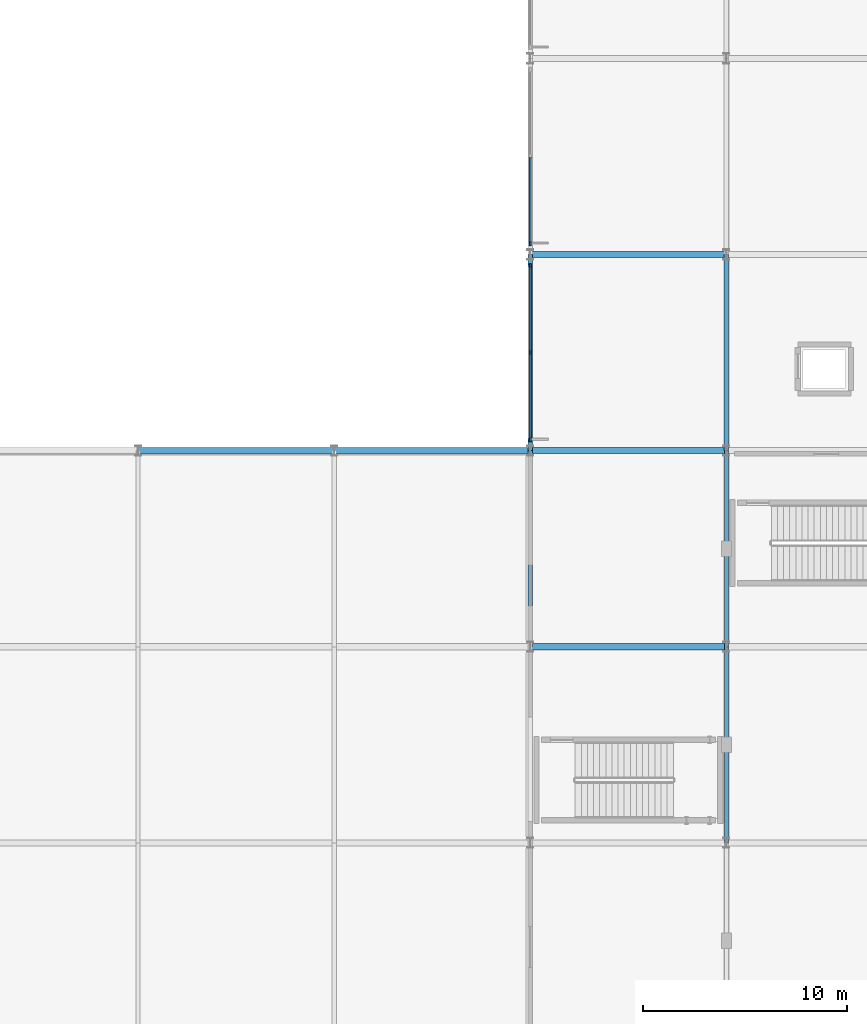
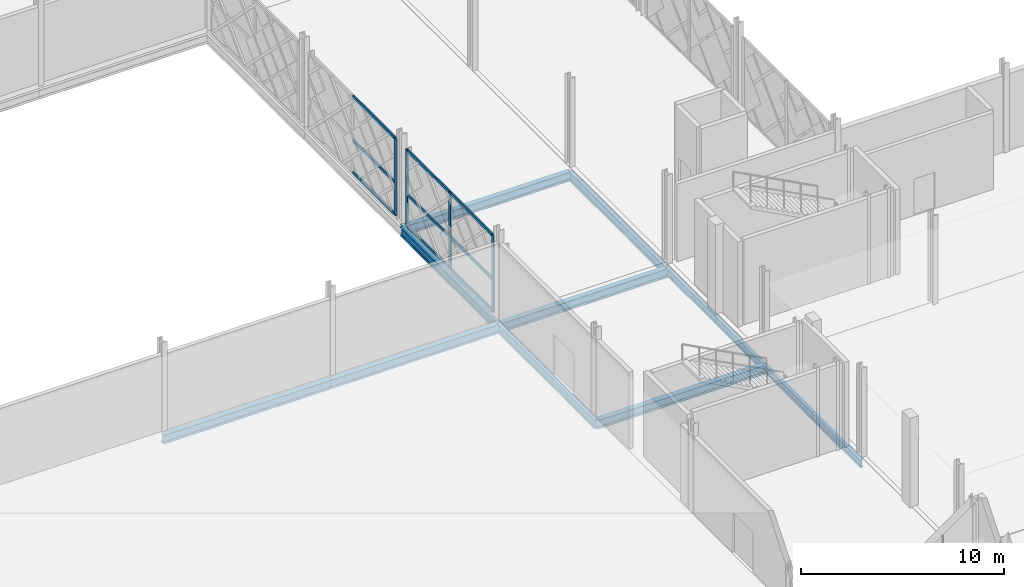
# One storey, part 29 of 84: 13 members, 12 beams, 2 elements without a shape of their own.
"""IFC4 building model written with IfcOpenShell, lengths in metres."""

from ifc_helpers import new_model, si_unit, direction, frame, origin, origin_2d, place, context, subcontext, project, spatial, rectangle, i_section, extrude, material, layer, layer_set, material_profile, profile_set, type_object, element, aggregate, save


model = new_model("IFC4")

# Units and contexts
model_context = context("Model", 3, precision=1e-05, world=origin(), true_north=direction((0.0, 1.0)))
body_context = subcontext(model_context, "Body", "Model", "MODEL_VIEW")
ifc_project = project(units=[si_unit("LENGTHUNIT", "METRE"), si_unit("AREAUNIT", "SQUARE_METRE"), si_unit("VOLUMEUNIT", "CUBIC_METRE"), si_unit("PLANEANGLEUNIT", "RADIAN"), si_unit("MASSUNIT", "GRAM", prefix="KILO")], contexts=[model_context])

# Site, building, storey
site_placement = place(None, origin())
site = spatial("IfcSite", under=ifc_project, at=site_placement, CompositionType="ELEMENT")
building_placement = place(site_placement, origin())
building = spatial("IfcBuilding", under=site, at=building_placement, Name="Zevrakil Square Congress Hotel", CompositionType="ELEMENT")
storey_placement = place(building_placement, origin())
storey = spatial("IfcBuildingStorey", under=building, at=storey_placement, Name="L01", CompositionType="ELEMENT", Elevation=0.0)

# Beams
ifc_material_1 = material(Name="Steel S355", Category="steel")
ifc_material_profile_1 = material_profile(ifc_material_1, i_section(OverallWidth=0.300048828125, OverallDepth=0.5400390625, WebThickness=0.012451171875, FlangeThickness=0.02392578125, FilletRadius=0.027099609375, at=origin_2d()), Name="HEA 550")
ifc_profile_set_1 = profile_set([ifc_material_profile_1], Name="Steel S355")
beam_type_1 = type_object("IfcBeamType", Name="BM-HEA550", PredefinedType="BEAM", material=ifc_profile_set_1)
beam_1_placement = place(storey_placement, frame((45.60009765625, 36.0, -0.590087890625), z_axis=(1.0, 0.0, 0.0), x_axis=(0.0, 1.0, 0.0)))
element("IfcBeam", 1, at=beam_1_placement, inside=storey, type_object=beam_type_1, Name="L01 primary girder BX-0336", PredefinedType="BEAM", context=body_context, shape_type="SweptSolid", body=[
    extrude(i_section(OverallWidth=0.300048828125, OverallDepth=0.5400390625, WebThickness=0.012451171875, FlangeThickness=0.02392578125, FilletRadius=0.027099609375, at=origin_2d()), origin(), (0.0, 0.0, 1.0), 9.599853515625),
])
for number, where, z_axis, x_axis, name in (
    (2, (26.39990234375, 45.60009765625, -0.590087890625), (1.0, 0.0, 0.0), (0.0, 1.0, 0.0), "L01 primary girder BX-0351"),
    (3, (36.0, 45.60009765625, -0.590087890625), (1.0, 0.0, 0.0), (0.0, 1.0, 0.0), "L01 primary girder BX-0352"),
):
    element("IfcBeam", number, at=place(storey_placement, frame(where, z_axis=z_axis, x_axis=x_axis)), inside=storey, type_object=beam_type_1, Name=name, PredefinedType="BEAM", context=body_context, shape_type="SweptSolid", body=[
        extrude(i_section(OverallWidth=0.300048828125, OverallDepth=0.5400390625, WebThickness=0.012451171875, FlangeThickness=0.02392578125, FilletRadius=0.027099609375, at=origin_2d()), origin(), (0.0, 0.0, 1.0), 9.60009765625),
    ])
for number, where, z_axis, x_axis, name in (
    (4, (45.60009765625, 45.60009765625, -0.590087890625), (1.0, 0.0, 0.0), (0.0, 1.0, 0.0), "L01 primary girder BX-0353"),
    (5, (45.60009765625, 55.199951171875, -0.590087890625), (1.0, 0.0, 0.0), (0.0, 1.0, 0.0), "L01 primary girder BX-0367"),
):
    element("IfcBeam", number, at=place(storey_placement, frame(where, z_axis=z_axis, x_axis=x_axis)), inside=storey, type_object=beam_type_1, Name=name, PredefinedType="BEAM", context=body_context, shape_type="SweptSolid", body=[
        extrude(i_section(OverallWidth=0.300048828125, OverallDepth=0.5400390625, WebThickness=0.012451171875, FlangeThickness=0.02392578125, FilletRadius=0.027099609375, at=origin_2d()), origin(), (0.0, 0.0, 1.0), 9.599853515625),
    ])
ifc_material_2 = material(Name="Steel S355", Category="steel")
ifc_material_profile_2 = material_profile(ifc_material_2, i_section(OverallWidth=0.18994140625, OverallDepth=0.449951171875, WebThickness=0.009521484375, FlangeThickness=0.0146484375, FilletRadius=0.02099609375, at=origin_2d()), Name="IPE 450")
ifc_profile_set_2 = profile_set([ifc_material_profile_2], Name="Steel S355")
beam_type_2 = type_object("IfcBeamType", Name="BM-IPE450", PredefinedType="BEAM", material=ifc_profile_set_2)
for number, where, z_axis, x_axis, name in (
    (6, (55.199951171875, 26.39990234375, -0.544921875), (0.0, 1.0, 0.0), (-1.0, 0.0, 0.0), "L01 primary girder BY-0523"),
    (7, (55.199951171875, 31.199951171875, -0.544921875), (0.0, 1.0, 0.0), (-1.0, 0.0, 0.0), "L01 primary girder BY-0524"),
    (8, (55.199951171875, 36.0, -0.544921875), (0.0, 1.0, 0.0), (-1.0, 0.0, 0.0), "L01 primary girder BY-0525"),
    (9, (55.199951171875, 40.800048828125, -0.544921875), (0.0, 1.0, 0.0), (-1.0, 0.0, 0.0), "L01 primary girder BY-0526"),
):
    element("IfcBeam", number, at=place(storey_placement, frame(where, z_axis=z_axis, x_axis=x_axis)), inside=storey, type_object=beam_type_2, Name=name, PredefinedType="BEAM", context=body_context, shape_type="SweptSolid", body=[
        extrude(i_section(OverallWidth=0.18994140625, OverallDepth=0.449951171875, WebThickness=0.009521484375, FlangeThickness=0.0146484375, FilletRadius=0.02099609375, at=origin_2d()), origin(), (0.0, 0.0, 1.0), 4.800048828125),
    ])
ifc_material_3 = material(Name="Steel S355", Category="steel")
ifc_material_profile_3 = material_profile(ifc_material_3, i_section(OverallWidth=0.2099609375, OverallDepth=0.550048828125, WebThickness=0.010986328125, FlangeThickness=0.01708984375, FilletRadius=0.02392578125, at=origin_2d()), Name="IPE 550")
ifc_profile_set_3 = profile_set([ifc_material_profile_3], Name="Steel S355")
beam_type_3 = type_object("IfcBeamType", Name="BM-IPE550", PredefinedType="BEAM", material=ifc_profile_set_3)
beam_2_placement = place(storey_placement, frame((45.60009765625, 36.0, -0.594970703125), z_axis=(0.0, 1.0, 0.0), x_axis=(-1.0, 0.0, 0.0)))
element("IfcBeam", 10, at=beam_2_placement, inside=storey, type_object=beam_type_3, Name="L01 primary girder BY-0509", PredefinedType="BEAM", context=body_context, shape_type="SweptSolid", body=[
    extrude(i_section(OverallWidth=0.2099609375, OverallDepth=0.550048828125, WebThickness=0.010986328125, FlangeThickness=0.01708984375, FilletRadius=0.02392578125, at=origin_2d()), origin(), (0.0, 0.0, 1.0), 9.60009765625),
])
for number, where, z_axis, x_axis, name in (
    (11, (45.60009765625, 45.60009765625, -0.594970703125), (0.0, 1.0, 0.0), (-1.0, 0.0, 0.0), "L01 primary girder BY-0510"),
    (12, (55.199951171875, 45.60009765625, -0.594970703125), (0.0, 1.0, 0.0), (-1.0, 0.0, 0.0), "L01 primary girder BY-0527"),
):
    element("IfcBeam", number, at=place(storey_placement, frame(where, z_axis=z_axis, x_axis=x_axis)), inside=storey, type_object=beam_type_3, Name=name, PredefinedType="BEAM", context=body_context, shape_type="SweptSolid", body=[
        extrude(i_section(OverallWidth=0.2099609375, OverallDepth=0.550048828125, WebThickness=0.010986328125, FlangeThickness=0.01708984375, FilletRadius=0.02392578125, at=origin_2d()), origin(), (0.0, 0.0, 1.0), 9.599853515625),
    ])

# Curtain wall, members
ifc_material_4 = material(Name="Aluminium Anodised Bronze", Category="aluminium")
ifc_layer = layer(ifc_material_4, 0.179931640625)
ifc_layer_set = layer_set([ifc_layer], Name="Aluminium Anodised Bronze")
curtain_wall_type = type_object("IfcCurtainWallType", Name="CW-L01-840", PredefinedType="USERDEFINED", material=ifc_layer_set)
curtain_wall_1_placement = place(storey_placement, origin())
curtain_wall_1 = element("IfcCurtainWall", 13, at=curtain_wall_1_placement, inside=storey, type_object=curtain_wall_type, Name="L01 diamond curtain wall CW-L01-0022", ObjectType="GLAZED CURTAIN WALL", PredefinedType="USERDEFINED")
ifc_material_5 = material(Name="Aluminium Anodised Bronze", Category="aluminium")
ifc_material_profile_4 = material_profile(ifc_material_5, rectangle(XDim=0.0849609375, YDim=0.179931640625, at=origin_2d()), Name="ALU 85x180")
ifc_profile_set_4 = profile_set([ifc_material_profile_4], Name="Aluminium Anodised Bronze")
member_type_1 = type_object("IfcMemberType", Name="CWM-ALU85x180", PredefinedType="USERDEFINED", material=ifc_profile_set_4)
member_1_placement = place(storey_placement, frame((45.60009765625, 46.179931640625, 0.030029296875), z_axis=(0.0, 1.0, 0.0), x_axis=(-1.0, 0.0, 0.0)))
member_1 = element("IfcMember", 14, at=member_1_placement, type_object=member_type_1, Name="CW-11 transom 1.1", ObjectType="TRANSOM", PredefinedType="USERDEFINED", context=body_context, shape_type="SweptSolid", body=[
    extrude(rectangle(XDim=0.0849609375, YDim=0.179931640625, at=origin_2d()), origin(), (0.0, 0.0, 1.0), 4.190185546875),
])
member_2_placement = place(storey_placement, frame((45.60009765625, 46.179931640625, 1.9423828125), z_axis=(0.0, 1.0, 0.0), x_axis=(-1.0, 0.0, 0.0)))
member_2 = element("IfcMember", 15, at=member_2_placement, type_object=member_type_1, Name="CW-11 transom 1.2", ObjectType="TRANSOM", PredefinedType="USERDEFINED", context=body_context, shape_type="SweptSolid", body=[
    extrude(rectangle(XDim=0.0849609375, YDim=0.179931640625, at=origin_2d()), origin(), (0.0, 0.0, 1.0), 4.190185546875),
])
member_3_placement = place(storey_placement, frame((45.60009765625, 46.179931640625, 4.594970703125), z_axis=(0.0, 1.0, 0.0), x_axis=(-1.0, 0.0, 0.0)))
member_3 = element("IfcMember", 16, at=member_3_placement, type_object=member_type_1, Name="CW-11 transom 1.3", ObjectType="TRANSOM", PredefinedType="USERDEFINED", context=body_context, shape_type="SweptSolid", body=[
    extrude(rectangle(XDim=0.0849609375, YDim=0.179931640625, at=origin_2d()), origin(), (0.0, 0.0, 1.0), 4.190185546875),
])
member_4_placement = place(storey_placement, frame((45.60009765625, 50.429931640625, 0.030029296875), z_axis=(0.0, 1.0, 0.0), x_axis=(-1.0, 0.0, 0.0)))
member_4 = element("IfcMember", 17, at=member_4_placement, type_object=member_type_1, Name="CW-11 transom 2.1", ObjectType="TRANSOM", PredefinedType="USERDEFINED", context=body_context, shape_type="SweptSolid", body=[
    extrude(rectangle(XDim=0.0849609375, YDim=0.179931640625, at=origin_2d()), origin(), (0.0, 0.0, 1.0), 4.190185546875),
])
member_5_placement = place(storey_placement, frame((45.60009765625, 50.429931640625, 1.9423828125), z_axis=(0.0, 1.0, 0.0), x_axis=(-1.0, 0.0, 0.0)))
member_5 = element("IfcMember", 18, at=member_5_placement, type_object=member_type_1, Name="CW-11 transom 2.2", ObjectType="TRANSOM", PredefinedType="USERDEFINED", context=body_context, shape_type="SweptSolid", body=[
    extrude(rectangle(XDim=0.0849609375, YDim=0.179931640625, at=origin_2d()), origin(), (0.0, 0.0, 1.0), 4.190185546875),
])
member_6_placement = place(storey_placement, frame((45.60009765625, 50.429931640625, 4.594970703125), z_axis=(0.0, 1.0, 0.0), x_axis=(-1.0, 0.0, 0.0)))
member_6 = element("IfcMember", 19, at=member_6_placement, type_object=member_type_1, Name="CW-11 transom 2.3", ObjectType="TRANSOM", PredefinedType="USERDEFINED", context=body_context, shape_type="SweptSolid", body=[
    extrude(rectangle(XDim=0.0849609375, YDim=0.179931640625, at=origin_2d()), origin(), (0.0, 0.0, 1.0), 4.190185546875),
])

curtain_wall_2_placement = place(storey_placement, origin())
curtain_wall_2 = element("IfcCurtainWall", 20, at=curtain_wall_2_placement, inside=storey, type_object=curtain_wall_type, Name="L01 diamond curtain wall CW-L01-0024", ObjectType="GLAZED CURTAIN WALL", PredefinedType="USERDEFINED")
member_7_placement = place(storey_placement, frame((45.60009765625, 55.780029296875, 0.030029296875), z_axis=(0.0, 1.0, 0.0), x_axis=(-1.0, 0.0, 0.0)))
member_7 = element("IfcMember", 21, at=member_7_placement, type_object=member_type_1, Name="CW-11 transom 1.1", ObjectType="TRANSOM", PredefinedType="USERDEFINED", context=body_context, shape_type="SweptSolid", body=[
    extrude(rectangle(XDim=0.0849609375, YDim=0.179931640625, at=origin_2d()), origin(), (0.0, 0.0, 1.0), 4.18994140625),
])
member_8_placement = place(storey_placement, frame((45.60009765625, 55.780029296875, 1.9423828125), z_axis=(0.0, 1.0, 0.0), x_axis=(-1.0, 0.0, 0.0)))
member_8 = element("IfcMember", 22, at=member_8_placement, type_object=member_type_1, Name="CW-11 transom 1.2", ObjectType="TRANSOM", PredefinedType="USERDEFINED", context=body_context, shape_type="SweptSolid", body=[
    extrude(rectangle(XDim=0.0849609375, YDim=0.179931640625, at=origin_2d()), origin(), (0.0, 0.0, 1.0), 4.18994140625),
])
member_9_placement = place(storey_placement, frame((45.60009765625, 55.780029296875, 4.594970703125), z_axis=(0.0, 1.0, 0.0), x_axis=(-1.0, 0.0, 0.0)))
member_9 = element("IfcMember", 23, at=member_9_placement, type_object=member_type_1, Name="CW-11 transom 1.3", ObjectType="TRANSOM", PredefinedType="USERDEFINED", context=body_context, shape_type="SweptSolid", body=[
    extrude(rectangle(XDim=0.0849609375, YDim=0.179931640625, at=origin_2d()), origin(), (0.0, 0.0, 1.0), 4.18994140625),
])

# Member
ifc_material_6 = material(Name="Aluminium Anodised Bronze", Category="aluminium")
ifc_material_profile_5 = material_profile(ifc_material_6, rectangle(XDim=0.0849609375, YDim=0.219970703125, at=origin_2d()), Name="ALU 85x220")
ifc_profile_set_5 = profile_set([ifc_material_profile_5], Name="Aluminium Anodised Bronze")
member_type_2 = type_object("IfcMemberType", Name="CWM-ALU85x220", PredefinedType="MULLION", material=ifc_profile_set_5)
member_10_placement = place(storey_placement, frame((45.60009765625, 46.14990234375, 0.0), z_axis=(0.0, 0.0, 1.0), x_axis=(-1.0, 0.0, 0.0)))
member_10 = element("IfcMember", 24, at=member_10_placement, type_object=member_type_2, Name="CW-11 mullion 1", PredefinedType="MULLION", context=body_context, shape_type="SweptSolid", body=[
    extrude(rectangle(XDim=0.0849609375, YDim=0.219970703125, at=origin_2d()), origin(), (0.0, 0.0, 1.0), 4.625),
])

member_11_placement = place(storey_placement, frame((45.60009765625, 50.39990234375, 0.0), z_axis=(0.0, 0.0, 1.0), x_axis=(-1.0, 0.0, 0.0)))
member_11 = element("IfcMember", 25, at=member_11_placement, type_object=member_type_2, Name="CW-11 mullion 2", PredefinedType="MULLION", context=body_context, shape_type="SweptSolid", body=[
    extrude(rectangle(XDim=0.0849609375, YDim=0.219970703125, at=origin_2d()), origin(), (0.0, 0.0, 1.0), 4.625),
])

member_12_placement = place(storey_placement, frame((45.60009765625, 54.64990234375, 0.0), z_axis=(0.0, 0.0, 1.0), x_axis=(-1.0, 0.0, 0.0)))
member_12 = element("IfcMember", 26, at=member_12_placement, type_object=member_type_2, Name="CW-11 mullion 3", PredefinedType="MULLION", context=body_context, shape_type="SweptSolid", body=[
    extrude(rectangle(XDim=0.0849609375, YDim=0.219970703125, at=origin_2d()), origin(), (0.0, 0.0, 1.0), 4.625),
])

aggregate(curtain_wall_1, [member_10, member_11, member_12, member_1, member_2, member_3, member_4, member_5, member_6])

member_13_placement = place(storey_placement, frame((45.60009765625, 55.75, 0.0), z_axis=(0.0, 0.0, 1.0), x_axis=(-1.0, 0.0, 0.0)))
member_13 = element("IfcMember", 27, at=member_13_placement, type_object=member_type_2, Name="CW-11 mullion 1", PredefinedType="MULLION", context=body_context, shape_type="SweptSolid", body=[
    extrude(rectangle(XDim=0.0849609375, YDim=0.219970703125, at=origin_2d()), origin(), (0.0, 0.0, 1.0), 4.625),
])

aggregate(curtain_wall_2, [member_13, member_7, member_8, member_9])

save(model, "model.ifc")
